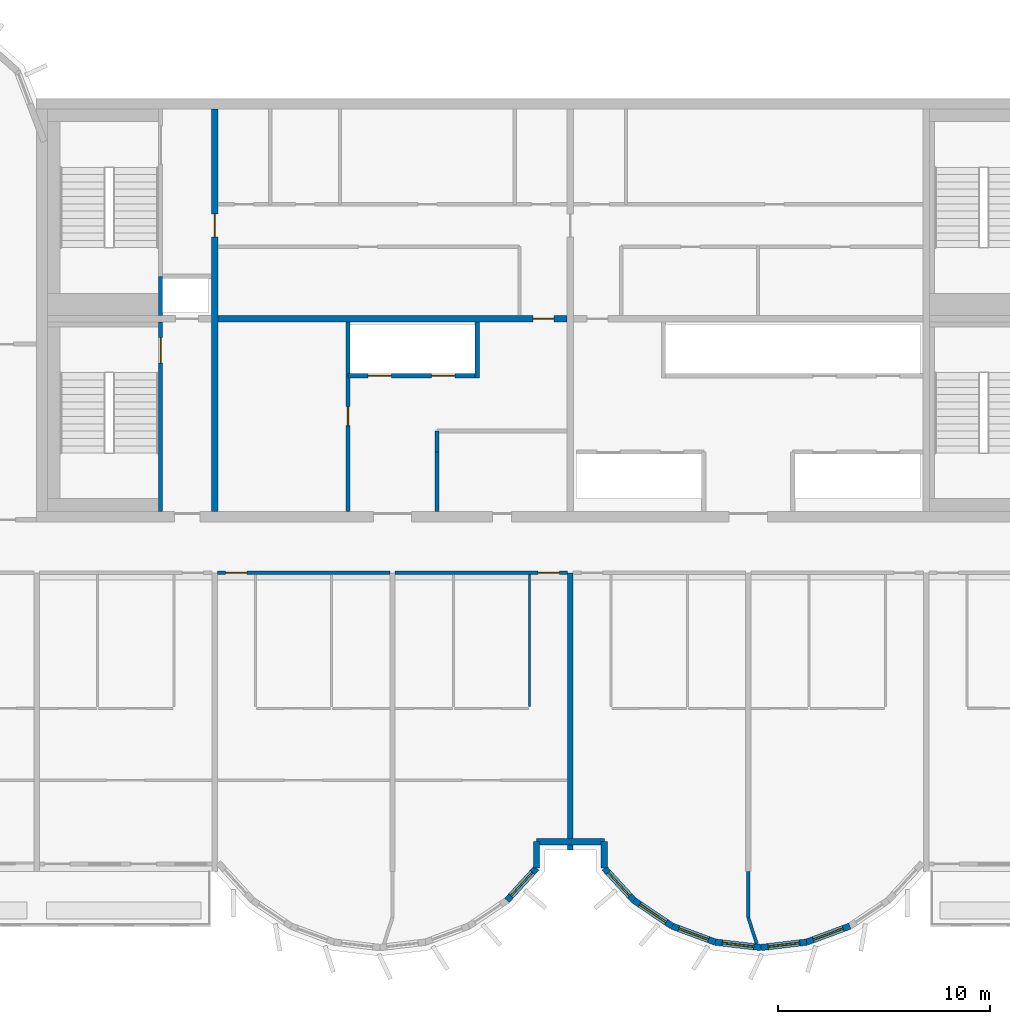
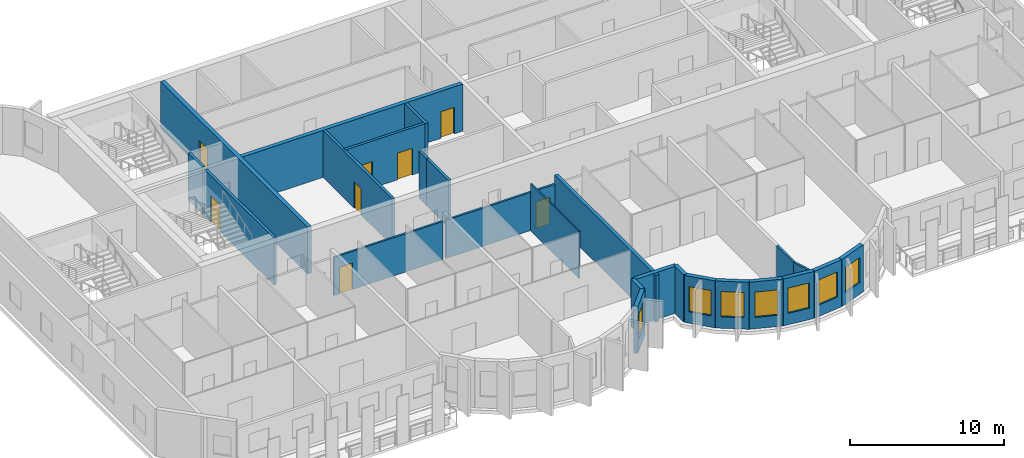
# One storey, part 4 of 12: 25 walls, 8 doors, 7 windows, 15 openings.
"""IFC4 building model written with IfcOpenShell, lengths in metres."""

from ifc_helpers import new_model, si_unit, direction, frame, frame_2d, origin, place, context, subcontext, project, spatial, rectangle, extrude, source, transform, mapped, material, layer, layer_set, type_object, element, fill, save


model = new_model("IFC4")

# Units and contexts
model_context = context("Model", 3, precision=1e-05, world=origin(), true_north=direction((0.0, 1.0)))
body_context = subcontext(model_context, "Body", "Model", "MODEL_VIEW")
ifc_project = project(units=[si_unit("LENGTHUNIT", "METRE"), si_unit("AREAUNIT", "SQUARE_METRE"), si_unit("VOLUMEUNIT", "CUBIC_METRE"), si_unit("PLANEANGLEUNIT", "RADIAN"), si_unit("MASSUNIT", "GRAM", prefix="KILO")], contexts=[model_context])

# Site, building, storey
site_placement = place(None, origin())
site = spatial("IfcSite", under=ifc_project, at=site_placement, CompositionType="ELEMENT")
building_placement = place(site_placement, origin())
building = spatial("IfcBuilding", under=site, at=building_placement, Name="Vanashikhar Sky Hotel", CompositionType="ELEMENT")
storey_placement = place(building_placement, frame((0.0, 0.0, 285.699951171875)))
storey = spatial("IfcBuildingStorey", under=building, at=storey_placement, Name="L68", CompositionType="ELEMENT", Elevation=285.699951171875)

# Wall, opening, door
ifc_material_1 = material(Name="Concrete M50", Category="concrete")
ifc_layer_1 = layer(ifc_material_1, 0.300048828125)
ifc_layer_set_1 = layer_set([ifc_layer_1], Name="RC core inner wall 300 Concrete M50")
wall_type_1 = type_object("IfcWallType", Name="RC core inner wall 300 Concrete M50", PredefinedType="SHEAR", material=ifc_layer_set_1)
shared_shape_1 = source(origin(), body_context, "Body", "SweptSolid", [
    extrude(rectangle(XDim=19.0, YDim=0.300048828125, at=frame_2d((9.5, 0.0))), origin(), (0.0, 0.0, 1.0), 3.719970703125),
])
wall_1_placement = place(storey_placement, frame((33.60009765625, 22.5, 0.0), z_axis=(0.0, 0.0, 1.0), x_axis=(0.0, 1.0, 0.0)))
wall_1 = element("IfcWall", 1, at=wall_1_placement, inside=storey, type_object=wall_type_1, Name="KW-L68-KX1", PredefinedType="SHEAR", context=body_context, shape_type="MappedRepresentation", body=[
    mapped(shared_shape_1, transform((0.0, 0.0, 0.0), scale=1.0)),
])
shared_shape_2 = source(origin(), body_context, "Body", "SweptSolid", [
    extrude(rectangle(XDim=1.10009765625, YDim=2.10009765625, at=frame_2d((0.550048828125, 1.050048828125))), frame((0.0, 0.16015625, 0.0), z_axis=(0.0, -1.0, 0.0), x_axis=(1.0, 0.0, 0.0)), (0.0, 0.0, 1.0), 0.320068359375),
])
opening_1_placement = place(wall_1_placement, frame((12.949951171875, 0.0, 0.0)))
opening_1 = element("IfcOpeningElement", 2, at=opening_1_placement, cuts=wall_1, Name="Opening DC-4-C", PredefinedType="OPENING", context=body_context, shape_type="MappedRepresentation", body=[
    mapped(shared_shape_2, transform((0.0, 0.0, 0.0), scale=1.0)),
])
ifc_material_2 = material(Name="Steel", Category="steel")
door_type_1 = type_object("IfcDoorType", Name="Service door 1100 FD60", OperationType="NOTDEFINED", PredefinedType="DOOR", material=ifc_material_2)
shared_shape_3 = source(origin(), body_context, "Body", "SweptSolid", [
    extrude(rectangle(XDim=1.10009765625, YDim=2.10009765625, at=frame_2d((0.550048828125, 1.050048828125))), frame((0.0, 0.02490234375, 0.0), z_axis=(0.0, -1.0, 0.0), x_axis=(1.0, 0.0, 0.0)), (0.0, 0.0, 1.0), 0.050048828125),
])
door_1_placement = place(opening_1_placement, origin())
door_1 = element("IfcDoor", 3, at=door_1_placement, inside=storey, type_object=door_type_1, Name="Service door 1100 FD60", OperationType="SINGLE_SWING_LEFT", OverallHeight=2.10009765625, OverallWidth=1.10009765625, PredefinedType="DOOR", context=body_context, shape_type="MappedRepresentation", body=[
    mapped(shared_shape_3, transform((0.0, 0.0, 0.0), scale=1.0)),
])
fill(opening_1, door_1)

shared_shape_4 = source(origin(), body_context, "Body", "SweptSolid", [
    extrude(rectangle(XDim=16.5, YDim=0.300048828125, at=frame_2d((8.25, 0.0))), origin(), (0.0, 0.0, 1.0), 3.719970703125),
])
wall_2_placement = place(storey_placement, frame((33.75, 31.60009765625, 0.0), z_axis=(0.0, 0.0, 1.0), x_axis=(1.0, 0.0, 0.0)))
wall_2 = element("IfcWall", 4, at=wall_2_placement, inside=storey, type_object=wall_type_1, Name="KW-L68-KY2", PredefinedType="SHEAR", context=body_context, shape_type="MappedRepresentation", body=[
    mapped(shared_shape_4, transform((0.0, 0.0, 0.0), scale=1.0)),
])
shared_shape_5 = source(origin(), body_context, "Body", "SweptSolid", [
    extrude(rectangle(XDim=1.0, YDim=2.10009765625, at=frame_2d((0.5, 1.050048828125))), frame((0.0, 0.16015625, 0.0), z_axis=(0.0, -1.0, 0.0), x_axis=(1.0, 0.0, 0.0)), (0.0, 0.0, 1.0), 0.320068359375),
])
opening_2_placement = place(wall_2_placement, frame((14.875, 0.0, 0.0)))
opening_2 = element("IfcOpeningElement", 5, at=opening_2_placement, cuts=wall_2, Name="Opening DC-4", PredefinedType="OPENING", context=body_context, shape_type="MappedRepresentation", body=[
    mapped(shared_shape_5, transform((0.0, 0.0, 0.0), scale=1.0)),
])
door_type_2 = type_object("IfcDoorType", Name="Service door 1000 FD60", OperationType="NOTDEFINED", PredefinedType="DOOR", material=ifc_material_2)
shared_shape_6 = source(origin(), body_context, "Body", "SweptSolid", [
    extrude(rectangle(XDim=1.0, YDim=2.10009765625, at=frame_2d((0.5, 1.050048828125))), frame((0.0, 0.02490234375, 0.0), z_axis=(0.0, -1.0, 0.0), x_axis=(1.0, 0.0, 0.0)), (0.0, 0.0, 1.0), 0.050048828125),
])
door_2_placement = place(opening_2_placement, origin())
door_2 = element("IfcDoor", 6, at=door_2_placement, inside=storey, type_object=door_type_2, Name="Service door 1000 FD60", OperationType="SINGLE_SWING_LEFT", OverallHeight=2.10009765625, OverallWidth=1.0, PredefinedType="DOOR", context=body_context, shape_type="MappedRepresentation", body=[
    mapped(shared_shape_6, transform((0.0, 0.0, 0.0), scale=1.0)),
])
fill(opening_2, door_2)

# Wall
ifc_layer_2 = layer(ifc_material_1, 0.25)
ifc_layer_set_2 = layer_set([ifc_layer_2], Name="RC shear wall 250 Concrete M50")
wall_type_2 = type_object("IfcWallType", Name="RC shear wall 250 Concrete M50", PredefinedType="SHEAR", material=ifc_layer_set_2)
shared_shape_7 = source(origin(), body_context, "Body", "SweptSolid", [
    extrude(rectangle(XDim=13.10009765625, YDim=0.25, at=frame_2d((6.550048828125, 0.0))), origin(), (0.0, 0.0, 1.0), 3.719970703125),
])
wall_3_placement = place(storey_placement, frame((50.39990234375, 6.5, 0.0), z_axis=(0.0, 0.0, 1.0), x_axis=(0.0, 1.0, 0.0)))
element("IfcWall", 7, at=wall_3_placement, inside=storey, type_object=wall_type_2, Name="CW-L68-XW07-1", PredefinedType="SHEAR", context=body_context, shape_type="MappedRepresentation", body=[
    mapped(shared_shape_7, transform((0.0, 0.0, 0.0), scale=1.0)),
])

# Wall, opening, window
ifc_layer_3 = layer(ifc_material_1, 0.300048828125)
ifc_layer_set_3 = layer_set([ifc_layer_3], Name="Lobe wall 300")
wall_type_3 = type_object("IfcWallType", Name="Lobe wall 300", PredefinedType="SOLIDWALL", material=ifc_layer_set_3)
shared_shape_8 = source(origin(), body_context, "Body", "SweptSolid", [
    extrude(rectangle(XDim=2.17578125, YDim=0.300048828125, at=frame_2d((1.087890625, 0.0))), origin(), (0.0, 0.0, 1.0), 3.719970703125),
])
wall_4_placement = place(storey_placement, frame((53.395751953125, 4.13134765625, 0.0), z_axis=(0.0, 0.0, 1.0), x_axis=(0.829590746428, -0.558371913192, 0.0)))
wall_4 = element("IfcWall", 8, at=wall_4_placement, inside=storey, type_object=wall_type_3, Name="Lobe wall", PredefinedType="SOLIDWALL", context=body_context, shape_type="MappedRepresentation", body=[
    mapped(shared_shape_8, transform((0.0, 0.0, 0.0), scale=1.0)),
])
shared_shape_9 = source(origin(), body_context, "Body", "SweptSolid", [
    extrude(rectangle(XDim=1.5, YDim=2.0, at=frame_2d((0.75, 1.0))), frame((0.0, 0.16015625, 0.0), z_axis=(0.0, -1.0, 0.0), x_axis=(1.0, 0.0, 0.0)), (0.0, 0.0, 1.0), 0.320068359375),
])
opening_3_placement = place(wall_4_placement, frame((0.337890625, 0.0, 0.89990234375)))
opening_3 = element("IfcOpeningElement", 9, at=opening_3_placement, cuts=wall_4, Name="Opening WN-2", PredefinedType="OPENING", context=body_context, shape_type="MappedRepresentation", body=[
    mapped(shared_shape_9, transform((0.0, 0.0, 0.0), scale=1.0)),
])
ifc_material_3 = material(Name="Glass", Category="glass")
window_type = type_object("IfcWindowType", Name="Lobe window 1500 x 2000", PartitioningType="SINGLE_PANEL", PredefinedType="WINDOW", material=ifc_material_3)
shared_shape_10 = source(origin(), body_context, "Body", "SweptSolid", [
    extrude(rectangle(XDim=1.5, YDim=2.0, at=frame_2d((0.75, 1.0))), frame((0.0, 0.030029296875, 0.0), z_axis=(0.0, -1.0, 0.0), x_axis=(1.0, 0.0, 0.0)), (0.0, 0.0, 1.0), 0.06005859375),
])
window_1_placement = place(opening_3_placement, origin())
window_1 = element("IfcWindow", 10, at=window_1_placement, inside=storey, type_object=window_type, Name="Window WN-2", OverallHeight=2.0, OverallWidth=1.5, PartitioningType="SINGLE_PANEL", PredefinedType="WINDOW", context=body_context, shape_type="MappedRepresentation", body=[
    mapped(shared_shape_10, transform((0.0, 0.0, 0.0), scale=1.0)),
])
fill(opening_3, window_1)

wall_5_placement = place(storey_placement, frame((55.20068359375, 2.91650390625, 0.0), z_axis=(0.0, 0.0, 1.0), x_axis=(0.93754555999, -0.347862505801, 0.0)))
wall_5 = element("IfcWall", 11, at=wall_5_placement, inside=storey, type_object=wall_type_3, Name="Lobe wall", PredefinedType="SOLIDWALL", context=body_context, shape_type="MappedRepresentation", body=[
    mapped(shared_shape_8, transform((0.0, 0.0, 0.0), scale=1.0)),
])
opening_4_placement = place(wall_5_placement, frame((0.337890625, 0.0, 0.89990234375)))
opening_4 = element("IfcOpeningElement", 12, at=opening_4_placement, cuts=wall_5, Name="Opening WN-2", PredefinedType="OPENING", context=body_context, shape_type="MappedRepresentation", body=[
    mapped(shared_shape_9, transform((0.0, 0.0, 0.0), scale=1.0)),
])
window_2_placement = place(opening_4_placement, origin())
window_2 = element("IfcWindow", 13, at=window_2_placement, inside=storey, type_object=window_type, Name="Window WN-2", OverallHeight=2.0, OverallWidth=1.5, PartitioningType="SINGLE_PANEL", PredefinedType="WINDOW", context=body_context, shape_type="MappedRepresentation", body=[
    mapped(shared_shape_10, transform((0.0, 0.0, 0.0), scale=1.0)),
])
fill(opening_4, window_2)

shared_shape_11 = source(origin(), body_context, "Body", "SweptSolid", [
    extrude(rectangle(XDim=2.174560546875, YDim=0.300048828125, at=frame_2d((1.08740234375, 0.0))), origin(), (0.0, 0.0, 1.0), 3.719970703125),
])
wall_6_placement = place(storey_placement, frame((57.240478515625, 2.15966796875, 0.0), z_axis=(0.0, 0.0, 1.0), x_axis=(0.993001132889, -0.118104826659, 0.0)))
wall_6 = element("IfcWall", 14, at=wall_6_placement, inside=storey, type_object=wall_type_3, Name="Lobe wall", PredefinedType="SOLIDWALL", context=body_context, shape_type="MappedRepresentation", body=[
    mapped(shared_shape_11, transform((0.0, 0.0, 0.0), scale=1.0)),
])
opening_5_placement = place(wall_6_placement, frame((0.33740234375, 0.0, 0.89990234375)))
opening_5 = element("IfcOpeningElement", 15, at=opening_5_placement, cuts=wall_6, Name="Opening WN-2", PredefinedType="OPENING", context=body_context, shape_type="MappedRepresentation", body=[
    mapped(shared_shape_9, transform((0.0, 0.0, 0.0), scale=1.0)),
])
window_3_placement = place(opening_5_placement, origin())
window_3 = element("IfcWindow", 16, at=window_3_placement, inside=storey, type_object=window_type, Name="Window WN-2", OverallHeight=2.0, OverallWidth=1.5, PartitioningType="SINGLE_PANEL", PredefinedType="WINDOW", context=body_context, shape_type="MappedRepresentation", body=[
    mapped(shared_shape_10, transform((0.0, 0.0, 0.0), scale=1.0)),
])
fill(opening_5, window_3)

shared_shape_12 = source(origin(), body_context, "Body", "SweptSolid", [
    extrude(rectangle(XDim=2.1748046875, YDim=0.300048828125, at=frame_2d((1.08740234375, 0.0))), origin(), (0.0, 0.0, 1.0), 3.719970703125),
])
wall_7_placement = place(storey_placement, frame((59.39990234375, 1.90283203125, 0.0), z_axis=(0.0, 0.0, 1.0), x_axis=(0.993002698611, 0.118091661648, 0.0)))
wall_7 = element("IfcWall", 17, at=wall_7_placement, inside=storey, type_object=wall_type_3, Name="Lobe wall", PredefinedType="SOLIDWALL", context=body_context, shape_type="MappedRepresentation", body=[
    mapped(shared_shape_12, transform((0.0, 0.0, 0.0), scale=1.0)),
])
opening_6_placement = place(wall_7_placement, frame((0.33740234375, 0.0, 0.89990234375)))
opening_6 = element("IfcOpeningElement", 18, at=opening_6_placement, cuts=wall_7, Name="Opening WN-2", PredefinedType="OPENING", context=body_context, shape_type="MappedRepresentation", body=[
    mapped(shared_shape_9, transform((0.0, 0.0, 0.0), scale=1.0)),
])
window_4_placement = place(opening_6_placement, origin())
window_4 = element("IfcWindow", 19, at=window_4_placement, inside=storey, type_object=window_type, Name="Window WN-2", OverallHeight=2.0, OverallWidth=1.5, PartitioningType="SINGLE_PANEL", PredefinedType="WINDOW", context=body_context, shape_type="MappedRepresentation", body=[
    mapped(shared_shape_10, transform((0.0, 0.0, 0.0), scale=1.0)),
])
fill(opening_6, window_4)

shared_shape_13 = source(origin(), body_context, "Body", "SweptSolid", [
    extrude(rectangle(XDim=2.175537109375, YDim=0.300048828125, at=frame_2d((1.087890625, 0.0))), origin(), (0.0, 0.0, 1.0), 3.719970703125),
])
wall_8_placement = place(storey_placement, frame((61.5595703125, 2.15966796875, 0.0), z_axis=(0.0, 0.0, 1.0), x_axis=(0.937531979054, 0.347899106424, 0.0)))
wall_8 = element("IfcWall", 20, at=wall_8_placement, inside=storey, type_object=wall_type_3, Name="Lobe wall", PredefinedType="SOLIDWALL", context=body_context, shape_type="MappedRepresentation", body=[
    mapped(shared_shape_13, transform((0.0, 0.0, 0.0), scale=1.0)),
])
opening_7_placement = place(wall_8_placement, frame((0.337890625, 0.0, 0.89990234375)))
opening_7 = element("IfcOpeningElement", 21, at=opening_7_placement, cuts=wall_8, Name="Opening WN-2", PredefinedType="OPENING", context=body_context, shape_type="MappedRepresentation", body=[
    mapped(shared_shape_9, transform((0.0, 0.0, 0.0), scale=1.0)),
])
window_5_placement = place(opening_7_placement, origin())
window_5 = element("IfcWindow", 22, at=window_5_placement, inside=storey, type_object=window_type, Name="Window WN-2", OverallHeight=2.0, OverallWidth=1.5, PartitioningType="SINGLE_PANEL", PredefinedType="WINDOW", context=body_context, shape_type="MappedRepresentation", body=[
    mapped(shared_shape_10, transform((0.0, 0.0, 0.0), scale=1.0)),
])
fill(opening_7, window_5)

shared_shape_14 = source(origin(), body_context, "Body", "SweptSolid", [
    extrude(rectangle(XDim=2.066650390625, YDim=0.300048828125, at=frame_2d((1.033203125, 0.0))), origin(), (0.0, 0.0, 1.0), 3.719970703125),
])
wall_9_placement = place(storey_placement, frame((47.404296875, 4.13134765625, 0.0), z_axis=(0.0, 0.0, 1.0), x_axis=(0.675355439877, 0.737492393065, 0.0)))
wall_9 = element("IfcWall", 23, at=wall_9_placement, inside=storey, type_object=wall_type_3, Name="Lobe wall", PredefinedType="SOLIDWALL", context=body_context, shape_type="MappedRepresentation", body=[
    mapped(shared_shape_14, transform((0.0, 0.0, 0.0), scale=1.0)),
])
opening_8_placement = place(wall_9_placement, frame((0.283447265625, 0.0, 0.89990234375)))
opening_8 = element("IfcOpeningElement", 24, at=opening_8_placement, cuts=wall_9, Name="Opening WN-2", PredefinedType="OPENING", context=body_context, shape_type="MappedRepresentation", body=[
    mapped(shared_shape_9, transform((0.0, 0.0, 0.0), scale=1.0)),
])
window_6_placement = place(opening_8_placement, origin())
window_6 = element("IfcWindow", 25, at=window_6_placement, inside=storey, type_object=window_type, Name="Window WN-2", OverallHeight=2.0, OverallWidth=1.5, PartitioningType="SINGLE_PANEL", PredefinedType="WINDOW", context=body_context, shape_type="MappedRepresentation", body=[
    mapped(shared_shape_10, transform((0.0, 0.0, 0.0), scale=1.0)),
])
fill(opening_8, window_6)

wall_10_placement = place(storey_placement, frame((52.0, 5.655517578125, 0.0), z_axis=(0.0, 0.0, 1.0), x_axis=(0.675355439877, -0.737492393065, 0.0)))
wall_10 = element("IfcWall", 26, at=wall_10_placement, inside=storey, type_object=wall_type_3, Name="Lobe wall", PredefinedType="SOLIDWALL", context=body_context, shape_type="MappedRepresentation", body=[
    mapped(shared_shape_14, transform((0.0, 0.0, 0.0), scale=1.0)),
])
opening_9_placement = place(wall_10_placement, frame((0.283447265625, 0.0, 0.89990234375)))
opening_9 = element("IfcOpeningElement", 27, at=opening_9_placement, cuts=wall_10, Name="Opening WN-2", PredefinedType="OPENING", context=body_context, shape_type="MappedRepresentation", body=[
    mapped(shared_shape_9, transform((0.0, 0.0, 0.0), scale=1.0)),
])
window_7_placement = place(opening_9_placement, origin())
window_7 = element("IfcWindow", 28, at=window_7_placement, inside=storey, type_object=window_type, Name="Window WN-2", OverallHeight=2.0, OverallWidth=1.5, PartitioningType="SINGLE_PANEL", PredefinedType="WINDOW", context=body_context, shape_type="MappedRepresentation", body=[
    mapped(shared_shape_10, transform((0.0, 0.0, 0.0), scale=1.0)),
])
fill(opening_9, window_7)

# Walls
shared_shape_15 = source(origin(), body_context, "Body", "SweptSolid", [
    extrude(rectangle(XDim=1.244384765625, YDim=0.300048828125, at=frame_2d((0.6220703125, 0.0))), origin(), (0.0, 0.0, 1.0), 3.719970703125),
])
for number, where, z_axis, x_axis, name in (
    (29, (48.800048828125, 5.655517578125, 0.0), (0.0, 0.0, 1.0), (0.0, 1.0, 0.0), "Groove wall"),
    (30, (52.0, 6.89990234375, 0.0), (0.0, 0.0, 1.0), (0.0, -1.0, 0.0), "Groove wall"),
):
    element("IfcWall", number, at=place(storey_placement, frame(where, z_axis=z_axis, x_axis=x_axis)), inside=storey, type_object=wall_type_3, Name=name, PredefinedType="SOLIDWALL", context=body_context, shape_type="MappedRepresentation", body=[
        mapped(shared_shape_15, transform((0.0, 0.0, 0.0), scale=1.0)),
    ])
shared_shape_16 = source(origin(), body_context, "Body", "SweptSolid", [
    extrude(rectangle(XDim=3.199951171875, YDim=0.300048828125, at=frame_2d((1.60009765625, 0.0))), origin(), (0.0, 0.0, 1.0), 3.719970703125),
])
wall_11_placement = place(storey_placement, frame((48.800048828125, 6.89990234375, 0.0), z_axis=(0.0, 0.0, 1.0), x_axis=(1.0, 0.0, 0.0)))
element("IfcWall", 31, at=wall_11_placement, inside=storey, type_object=wall_type_3, Name="Groove wall", PredefinedType="SOLIDWALL", context=body_context, shape_type="MappedRepresentation", body=[
    mapped(shared_shape_16, transform((0.0, 0.0, 0.0), scale=1.0)),
])

# Wall, openings, doors
ifc_material_4 = material(Name="Concrete M40", Category="concrete")
ifc_layer_4 = layer(ifc_material_4, 0.199951171875)
ifc_layer_set_4 = layer_set([ifc_layer_4], Name="Shaft wall 200")
wall_type_4 = type_object("IfcWallType", Name="Shaft wall 200", PredefinedType="SOLIDWALL", material=ifc_layer_set_4)
shared_shape_17 = source(origin(), body_context, "Body", "SweptSolid", [
    extrude(rectangle(XDim=6.0, YDim=0.199951171875, at=frame_2d((3.0, 0.0))), origin(), (0.0, 0.0, 1.0), 3.719970703125),
])
wall_12_placement = place(storey_placement, frame((39.89990234375, 28.89990234375, 0.0), z_axis=(0.0, 0.0, 1.0), x_axis=(1.0, 0.0, 0.0)))
wall_12 = element("IfcWall", 32, at=wall_12_placement, inside=storey, type_object=wall_type_4, Name="Shaft wall 200", PredefinedType="SOLIDWALL", context=body_context, shape_type="MappedRepresentation", body=[
    mapped(shared_shape_17, transform((0.0, 0.0, 0.0), scale=1.0)),
])
shared_shape_18 = source(origin(), body_context, "Body", "SweptSolid", [
    extrude(rectangle(XDim=1.10009765625, YDim=2.10009765625, at=frame_2d((0.550048828125, 1.050048828125))), frame((0.0, 0.10986328125, 0.0), z_axis=(0.0, -1.0, 0.0), x_axis=(1.0, 0.0, 0.0)), (0.0, 0.0, 1.0), 0.219970703125),
])
opening_10_placement = place(wall_12_placement, frame((0.949951171875, 0.0, 0.0)))
opening_10 = element("IfcOpeningElement", 33, at=opening_10_placement, cuts=wall_12, Name="Opening LD", PredefinedType="OPENING", context=body_context, shape_type="MappedRepresentation", body=[
    mapped(shared_shape_18, transform((0.0, 0.0, 0.0), scale=1.0)),
])
opening_11_placement = place(wall_12_placement, frame((3.949951171875, 0.0, 0.0)))
opening_11 = element("IfcOpeningElement", 34, at=opening_11_placement, cuts=wall_12, Name="Opening LD", PredefinedType="OPENING", context=body_context, shape_type="MappedRepresentation", body=[
    mapped(shared_shape_18, transform((0.0, 0.0, 0.0), scale=1.0)),
])
ifc_material_5 = material(Name="Stainless steel", Category="steel")
door_type_3 = type_object("IfcDoorType", Name="Lift landing door 1100", OperationType="NOTDEFINED", PredefinedType="DOOR", material=ifc_material_5)
door_3_placement = place(opening_10_placement, origin())
door_3 = element("IfcDoor", 35, at=door_3_placement, inside=storey, type_object=door_type_3, Name="Lift landing door 1100", OperationType="SLIDING_TO_LEFT", OverallHeight=2.10009765625, OverallWidth=1.10009765625, PredefinedType="DOOR", context=body_context, shape_type="MappedRepresentation", body=[
    mapped(shared_shape_3, transform((0.0, 0.0, 0.0), scale=1.0)),
])
fill(opening_10, door_3)
door_4_placement = place(opening_11_placement, origin())
door_4 = element("IfcDoor", 36, at=door_4_placement, inside=storey, type_object=door_type_3, Name="Lift landing door 1100", OperationType="SLIDING_TO_RIGHT", OverallHeight=2.10009765625, OverallWidth=1.10009765625, PredefinedType="DOOR", context=body_context, shape_type="MappedRepresentation", body=[
    mapped(shared_shape_3, transform((0.0, 0.0, 0.0), scale=1.0)),
])
fill(opening_11, door_4)

# Wall, opening, door
ifc_material_6 = material(Name="Gypsum board partition")
ifc_layer_5 = layer(ifc_material_6, 0.14990234375)
ifc_layer_set_5 = layer_set([ifc_layer_5], Name="Service partition 150")
wall_type_5 = type_object("IfcWallType", Name="Service partition 150", PredefinedType="PARTITIONING", material=ifc_layer_set_5)
shared_shape_19 = source(origin(), body_context, "Body", "SweptSolid", [
    extrude(rectangle(XDim=8.949951171875, YDim=0.199951171875, at=frame_2d((4.47509765625, 0.0))), origin(), (0.0, 0.0, 1.0), 3.719970703125),
])
wall_13_placement = place(storey_placement, frame((39.89990234375, 22.5, 0.0), z_axis=(0.0, 0.0, 1.0), x_axis=(0.0, 1.0, 0.0)))
wall_13 = element("IfcWall", 37, at=wall_13_placement, inside=storey, type_object=wall_type_5, Name="Service partition 150", PredefinedType="PARTITIONING", context=body_context, shape_type="MappedRepresentation", body=[
    mapped(shared_shape_19, transform((0.0, 0.0, 0.0), scale=1.0)),
])
shared_shape_20 = source(origin(), body_context, "Body", "SweptSolid", [
    extrude(rectangle(XDim=0.89990234375, YDim=2.10009765625, at=frame_2d((0.449951171875, 1.050048828125))), frame((0.0, 0.10986328125, 0.0), z_axis=(0.0, -1.0, 0.0), x_axis=(1.0, 0.0, 0.0)), (0.0, 0.0, 1.0), 0.219970703125),
])
opening_12_placement = place(wall_13_placement, frame((4.050048828125, 0.0, 0.0)))
opening_12 = element("IfcOpeningElement", 38, at=opening_12_placement, cuts=wall_13, Name="Opening DC-4-A", PredefinedType="OPENING", context=body_context, shape_type="MappedRepresentation", body=[
    mapped(shared_shape_20, transform((0.0, 0.0, 0.0), scale=1.0)),
])
door_type_4 = type_object("IfcDoorType", Name="Service door 900 FD60", OperationType="NOTDEFINED", PredefinedType="DOOR", material=ifc_material_2)
shared_shape_21 = source(origin(), body_context, "Body", "SweptSolid", [
    extrude(rectangle(XDim=0.89990234375, YDim=2.10009765625, at=frame_2d((0.449951171875, 1.050048828125))), frame((0.0, 0.02490234375, 0.0), z_axis=(0.0, -1.0, 0.0), x_axis=(1.0, 0.0, 0.0)), (0.0, 0.0, 1.0), 0.050048828125),
])
door_5_placement = place(opening_12_placement, origin())
door_5 = element("IfcDoor", 39, at=door_5_placement, inside=storey, type_object=door_type_4, Name="Service door 900 FD60", OperationType="SINGLE_SWING_RIGHT", OverallHeight=2.10009765625, OverallWidth=0.89990234375, PredefinedType="DOOR", context=body_context, shape_type="MappedRepresentation", body=[
    mapped(shared_shape_21, transform((0.0, 0.0, 0.0), scale=1.0)),
])
fill(opening_12, door_5)

# Walls
shared_shape_22 = source(origin(), body_context, "Body", "SweptSolid", [
    extrude(rectangle(XDim=2.800048828125, YDim=0.199951171875, at=frame_2d((1.39990234375, 0.0))), origin(), (0.0, 0.0, 1.0), 3.719970703125),
])
wall_14_placement = place(storey_placement, frame((44.10009765625, 22.5, 0.0), z_axis=(0.0, 0.0, 1.0), x_axis=(0.0, 1.0, 0.0)))
element("IfcWall", 40, at=wall_14_placement, inside=storey, type_object=wall_type_5, Name="Service partition 150", PredefinedType="PARTITIONING", context=body_context, shape_type="MappedRepresentation", body=[
    mapped(shared_shape_22, transform((0.0, 0.0, 0.0), scale=1.0)),
])
shared_shape_23 = source(origin(), body_context, "Body", "SweptSolid", [
    extrude(rectangle(XDim=2.64990234375, YDim=0.199951171875, at=frame_2d((1.324951171875, 0.0))), origin(), (0.0, 0.0, 1.0), 3.719970703125),
])
wall_15_placement = place(storey_placement, frame((46.0, 28.800048828125, 0.0), z_axis=(0.0, 0.0, 1.0), x_axis=(0.0, 1.0, 0.0)))
element("IfcWall", 41, at=wall_15_placement, inside=storey, type_object=wall_type_4, Name="Shaft wall 200", PredefinedType="SOLIDWALL", context=body_context, shape_type="MappedRepresentation", body=[
    mapped(shared_shape_23, transform((0.0, 0.0, 0.0), scale=1.0)),
])
shared_shape_24 = source(origin(), body_context, "Body", "SweptSolid", [
    extrude(rectangle(XDim=1.0, YDim=0.199951171875, at=frame_2d((0.5, 0.0))), origin(), (0.0, 0.0, 1.0), 3.719970703125),
])
wall_16_placement = place(storey_placement, frame((44.10009765625, 25.300048828125, 0.0), z_axis=(0.0, 0.0, 1.0), x_axis=(0.0, 1.0, 0.0)))
element("IfcWall", 42, at=wall_16_placement, inside=storey, type_object=wall_type_5, Name="Service partition 150", PredefinedType="PARTITIONING", context=body_context, shape_type="MappedRepresentation", body=[
    mapped(shared_shape_24, transform((0.0, 0.0, 0.0), scale=1.0)),
])

# Wall, opening, door
ifc_layer_6 = layer(ifc_material_1, 0.199951171875)
ifc_layer_set_6 = layer_set([ifc_layer_6], Name="Stair wall 200")
wall_type_6 = type_object("IfcWallType", Name="Stair wall 200", PredefinedType="SOLIDWALL", material=ifc_layer_set_6)
shared_shape_25 = source(origin(), body_context, "Body", "SweptSolid", [
    extrude(rectangle(XDim=8.949951171875, YDim=0.199951171875, at=frame_2d((4.47509765625, 0.0))), origin(), (0.0, 0.0, 1.0), 3.719970703125),
])
wall_17_placement = place(storey_placement, frame((31.050048828125, 22.5, 0.0), z_axis=(0.0, 0.0, 1.0), x_axis=(0.0, 1.0, 0.0)))
wall_17 = element("IfcWall", 43, at=wall_17_placement, inside=storey, type_object=wall_type_6, Name="Stair wall 200", PredefinedType="SOLIDWALL", context=body_context, shape_type="MappedRepresentation", body=[
    mapped(shared_shape_25, transform((0.0, 0.0, 0.0), scale=1.0)),
])
shared_shape_26 = source(origin(), body_context, "Body", "SweptSolid", [
    extrude(rectangle(XDim=1.199951171875, YDim=2.10009765625, at=frame_2d((0.60009765625, 1.050048828125))), frame((0.0, 0.10986328125, 0.0), z_axis=(0.0, -1.0, 0.0), x_axis=(1.0, 0.0, 0.0)), (0.0, 0.0, 1.0), 0.219970703125),
])
opening_13_placement = place(wall_17_placement, frame((7.0, 0.0, 0.0)))
opening_13 = element("IfcOpeningElement", 44, at=opening_13_placement, cuts=wall_17, Name="Opening DC-1", PredefinedType="OPENING", context=body_context, shape_type="MappedRepresentation", body=[
    mapped(shared_shape_26, transform((0.0, 0.0, 0.0), scale=1.0)),
])
door_type_5 = type_object("IfcDoorType", Name="Stair door 1200 FD120", OperationType="NOTDEFINED", PredefinedType="DOOR", material=ifc_material_2)
shared_shape_27 = source(origin(), body_context, "Body", "SweptSolid", [
    extrude(rectangle(XDim=1.199951171875, YDim=2.10009765625, at=frame_2d((0.60009765625, 1.050048828125))), frame((0.0, 0.02490234375, 0.0), z_axis=(0.0, -1.0, 0.0), x_axis=(1.0, 0.0, 0.0)), (0.0, 0.0, 1.0), 0.050048828125),
])
door_6_placement = place(opening_13_placement, origin())
door_6 = element("IfcDoor", 45, at=door_6_placement, inside=storey, type_object=door_type_5, Name="Stair door 1200 FD120", OperationType="SINGLE_SWING_LEFT", OverallHeight=2.10009765625, OverallWidth=1.199951171875, PredefinedType="DOOR", context=body_context, shape_type="MappedRepresentation", body=[
    mapped(shared_shape_27, transform((0.0, 0.0, 0.0), scale=1.0)),
])
fill(opening_13, door_6)

# Walls
shared_shape_28 = source(origin(), body_context, "Body", "SweptSolid", [
    extrude(rectangle(XDim=1.85009765625, YDim=0.199951171875, at=frame_2d((0.925048828125, 0.0))), origin(), (0.0, 0.0, 1.0), 3.719970703125),
])
wall_18_placement = place(storey_placement, frame((31.050048828125, 31.75, 0.0), z_axis=(0.0, 0.0, 1.0), x_axis=(0.0, 1.0, 0.0)))
element("IfcWall", 46, at=wall_18_placement, inside=storey, type_object=wall_type_4, Name="Shaft wall 200", PredefinedType="SOLIDWALL", context=body_context, shape_type="MappedRepresentation", body=[
    mapped(shared_shape_28, transform((0.0, 0.0, 0.0), scale=1.0)),
])
ifc_material_7 = material(Name="Gypsum plasterboard partition")
ifc_layer_7 = layer(ifc_material_7, 0.10009765625)
ifc_layer_set_7 = layer_set([ifc_layer_7], Name="Wet room partition 100")
wall_type_7 = type_object("IfcWallType", Name="Wet room partition 100", PredefinedType="PARTITIONING", material=ifc_layer_set_7)
shared_shape_29 = source(origin(), body_context, "Body", "SweptSolid", [
    extrude(rectangle(XDim=6.25, YDim=0.10009765625, at=frame_2d((3.125, 0.0))), origin(), (0.0, 0.0, 1.0), 3.719970703125),
])
wall_19_placement = place(storey_placement, frame((48.47509765625, 13.27490234375, 0.0), z_axis=(0.0, 0.0, 1.0), x_axis=(0.0, 1.0, 0.0)))
element("IfcWall", 47, at=wall_19_placement, inside=storey, type_object=wall_type_7, Name="W-L68-PW019", PredefinedType="PARTITIONING", context=body_context, shape_type="MappedRepresentation", body=[
    mapped(shared_shape_29, transform((0.0, 0.0, 0.0), scale=1.0)),
])

# Wall, opening, door
ifc_layer_8 = layer(ifc_material_7, 0.14990234375)
ifc_layer_set_8 = layer_set([ifc_layer_8], Name="Corridor and demising partition 150")
wall_type_8 = type_object("IfcWallType", Name="Corridor and demising partition 150", PredefinedType="PARTITIONING", material=ifc_layer_set_8)
shared_shape_30 = source(origin(), body_context, "Body", "SweptSolid", [
    extrude(rectangle(XDim=8.14990234375, YDim=0.14990234375, at=frame_2d((4.074951171875, 0.0))), origin(), (0.0, 0.0, 1.0), 3.02001953125),
])
wall_20_placement = place(storey_placement, frame((33.72509765625, 19.60009765625, 0.0), z_axis=(0.0, 0.0, 1.0), x_axis=(1.0, 0.0, 0.0)))
wall_20 = element("IfcWall", 48, at=wall_20_placement, inside=storey, type_object=wall_type_8, Name="W-L68-PW018", PredefinedType="PARTITIONING", context=body_context, shape_type="MappedRepresentation", body=[
    mapped(shared_shape_30, transform((0.0, 0.0, 0.0), scale=1.0)),
])
shared_shape_31 = source(origin(), body_context, "Body", "SweptSolid", [
    extrude(rectangle(XDim=1.0, YDim=2.10009765625, at=frame_2d((0.5, 1.050048828125))), frame((0.0, 0.0849609375, 0.0), z_axis=(0.0, -1.0, 0.0), x_axis=(1.0, 0.0, 0.0)), (0.0, 0.0, 1.0), 0.169921875),
])
opening_14_placement = place(wall_20_placement, frame((0.39990234375, 0.0, 0.0)))
opening_14 = element("IfcOpeningElement", 49, at=opening_14_placement, cuts=wall_20, Name="Opening D-01", PredefinedType="OPENING", context=body_context, shape_type="MappedRepresentation", body=[
    mapped(shared_shape_31, transform((0.0, 0.0, 0.0), scale=1.0)),
])
ifc_material_8 = material(Name="Timber fire door", Category="wood")
door_type_6 = type_object("IfcDoorType", Name="Guest entry door 1000 FD30S", OperationType="NOTDEFINED", PredefinedType="DOOR", material=ifc_material_8)
door_7_placement = place(opening_14_placement, origin())
door_7 = element("IfcDoor", 50, at=door_7_placement, inside=storey, type_object=door_type_6, Name="D-L68-012", OperationType="SINGLE_SWING_LEFT", OverallHeight=2.10009765625, OverallWidth=1.0, PredefinedType="DOOR", context=body_context, shape_type="MappedRepresentation", body=[
    mapped(shared_shape_6, transform((0.0, 0.0, 0.0), scale=1.0)),
])
fill(opening_14, door_7)

wall_21_placement = place(storey_placement, frame((42.125, 19.60009765625, 0.0), z_axis=(0.0, 0.0, 1.0), x_axis=(1.0, 0.0, 0.0)))
wall_21 = element("IfcWall", 51, at=wall_21_placement, inside=storey, type_object=wall_type_8, Name="W-L68-PW024", PredefinedType="PARTITIONING", context=body_context, shape_type="MappedRepresentation", body=[
    mapped(shared_shape_30, transform((0.0, 0.0, 0.0), scale=1.0)),
])
opening_15_placement = place(wall_21_placement, frame((6.75, 0.0, 0.0)))
opening_15 = element("IfcOpeningElement", 52, at=opening_15_placement, cuts=wall_21, Name="Opening D-01", PredefinedType="OPENING", context=body_context, shape_type="MappedRepresentation", body=[
    mapped(shared_shape_31, transform((0.0, 0.0, 0.0), scale=1.0)),
])
door_8_placement = place(opening_15_placement, origin())
door_8 = element("IfcDoor", 53, at=door_8_placement, inside=storey, type_object=door_type_6, Name="D-L68-016", OperationType="SINGLE_SWING_RIGHT", OverallHeight=2.10009765625, OverallWidth=1.0, PredefinedType="DOOR", context=body_context, shape_type="MappedRepresentation", body=[
    mapped(shared_shape_6, transform((0.0, 0.0, 0.0), scale=1.0)),
])
fill(opening_15, door_8)

# Walls
shared_shape_32 = source(origin(), body_context, "Body", "SweptSolid", [
    extrude(rectangle(XDim=2.177978515625, YDim=0.14990234375, at=frame_2d((1.0888671875, 0.0))), origin(), (0.0, 0.0, 1.0), 3.719970703125),
])
wall_22_placement = place(storey_placement, frame((58.800048828125, 3.322021484375, 0.0), z_axis=(0.0, 0.0, 1.0), x_axis=(0.0, 1.0, 0.0)))
element("IfcWall", 54, at=wall_22_placement, inside=storey, type_object=wall_type_8, Name="W-L68-PW047", PredefinedType="PARTITIONING", context=body_context, shape_type="MappedRepresentation", body=[
    mapped(shared_shape_32, transform((0.0, 0.0, 0.0), scale=1.0)),
])
shared_shape_33 = source(origin(), body_context, "Body", "SweptSolid", [
    extrude(rectangle(XDim=1.308349609375, YDim=0.14990234375, at=frame_2d((0.654296875, 0.0))), origin(), (0.0, 0.0, 1.0), 3.719970703125),
])
wall_23_placement = place(storey_placement, frame((59.201904296875, 2.076904296875, 0.0), z_axis=(0.0, 0.0, 1.0), x_axis=(-0.307144529633, 0.951662880392, 0.0)))
element("IfcWall", 55, at=wall_23_placement, inside=storey, type_object=wall_type_8, Name="W-L68-PW047B0", PredefinedType="PARTITIONING", context=body_context, shape_type="MappedRepresentation", body=[
    mapped(shared_shape_33, transform((0.0, 0.0, 0.0), scale=1.0)),
])

save(model, "model.ifc")
